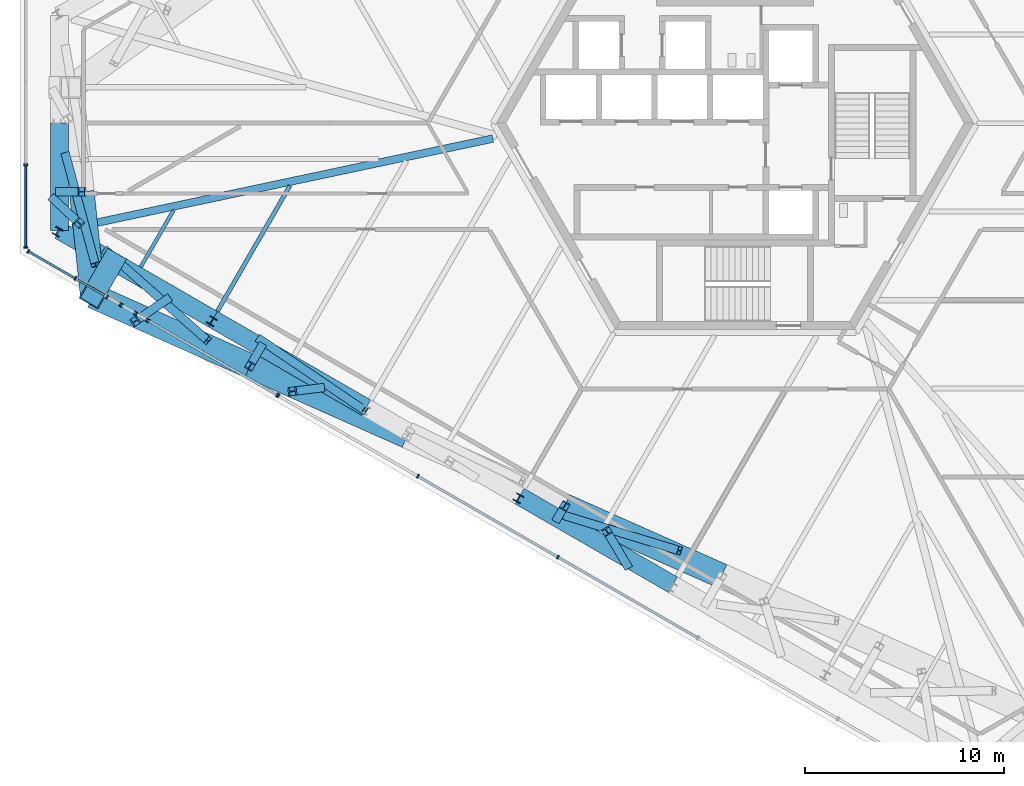
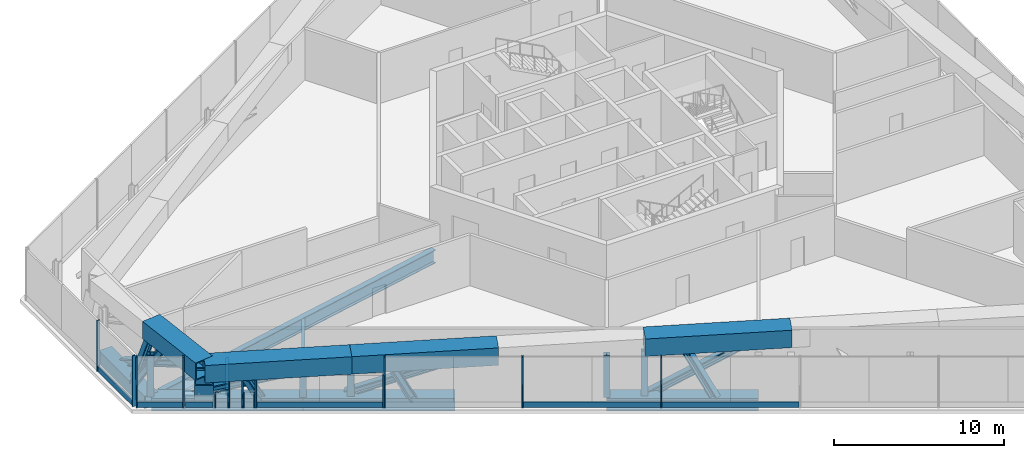
# One storey, part 1 of 23: 44 members, 3 beams, 8 elements without a shape of their own.
"""IFC4 building model written with IfcOpenShell, lengths in metres."""

from ifc_helpers import new_model, si_unit, direction, frame, origin, origin_2d, place, context, subcontext, project, spatial, rectangle, hollow_rectangle, i_section, extrude, source, transform, mapped, material, material_profile, profile_set, type_object, element, aggregate, save


model = new_model("IFC4")

# Units and contexts
model_context = context("Model", 3, precision=1e-05, world=origin(), true_north=direction((0.0, 1.0)))
body_context = subcontext(model_context, "Body", "Model", "MODEL_VIEW")
ifc_project = project(units=[si_unit("LENGTHUNIT", "METRE"), si_unit("AREAUNIT", "SQUARE_METRE"), si_unit("VOLUMEUNIT", "CUBIC_METRE"), si_unit("PLANEANGLEUNIT", "RADIAN"), si_unit("MASSUNIT", "GRAM", prefix="KILO")], contexts=[model_context])

# Site, building, storey
site_placement = place(None, origin())
site = spatial("IfcSite", under=ifc_project, at=site_placement, CompositionType="ELEMENT")
building_placement = place(site_placement, origin())
building = spatial("IfcBuilding", under=site, at=building_placement, Name="Triune Harvest Tower", CompositionType="ELEMENT")
storey_placement = place(building_placement, frame((0.0, 0.0, 54.699951171875)))
storey = spatial("IfcBuildingStorey", under=building, at=storey_placement, Name="L12", CompositionType="ELEMENT", Elevation=54.699951171875)

# Beam
ifc_material_1 = material(Name="Steel ASTM A992 Gr 50", Category="steel")
ifc_material_profile_1 = material_profile(ifc_material_1, i_section(OverallWidth=0.383544921875, OverallDepth=0.9423828125, WebThickness=0.022216796875, FlangeThickness=0.039794921875, at=origin_2d()), Name="W36x232")
ifc_profile_set_1 = profile_set([ifc_material_profile_1], Name="Steel ASTM A992 Gr 50")
beam_type_1 = type_object("IfcBeamType", Name="HG-1 Hip girder W36x232", PredefinedType="BEAM", material=ifc_profile_set_1)
beam_1_placement = place(storey_placement, frame((-33.33056640625, -5.270263671875, -0.72119140625), z_axis=(0.978186166705, 0.207730169372, 0.0), x_axis=(-0.207730169372, 0.978186166705, 0.0)))
element("IfcBeam", 1, at=beam_1_placement, inside=storey, type_object=beam_type_1, Name="beam/L12/HG5", PredefinedType="BEAM", context=body_context, shape_type="SweptSolid", body=[
    extrude(i_section(OverallWidth=0.383544921875, OverallDepth=0.9423828125, WebThickness=0.022216796875, FlangeThickness=0.039794921875, at=origin_2d()), origin(), (0.0, 0.0, 1.0), 21.6181640625),
])

# Members
ifc_material_2 = material(Name="Steel ASTM A992 Gr 50", Category="steel")
ifc_material_profile_2 = material_profile(ifc_material_2, i_section(OverallWidth=0.424072265625, OverallDepth=0.47509765625, WebThickness=0.0478515625, FlangeThickness=0.0771484375, at=origin_2d()), Name="W14x426")
ifc_profile_set_2 = profile_set([ifc_material_profile_2], Name="Steel ASTM A992 Gr 50")
member_type_1 = type_object("IfcMemberType", Name="TD-1 Belt truss diagonal W14x426", PredefinedType="BRACE", material=ifc_profile_set_2)
member_1_placement = place(storey_placement, frame((-34.28857421875, -3.827880859375, -0.324951171875), z_axis=(0.393329852561, -0.367821012751, 0.842614579546), x_axis=(0.683025684105, 0.73039435571, 0.0)))
element("IfcMember", 2, at=member_1_placement, inside=storey, type_object=member_type_1, Name="truss/L12/TD32", PredefinedType="BRACE", context=body_context, shape_type="SweptSolid", body=[
    extrude(i_section(OverallWidth=0.424072265625, OverallDepth=0.47509765625, WebThickness=0.0478515625, FlangeThickness=0.0771484375, at=origin_2d()), origin(), (0.0, 0.0, 1.0), 3.263671875),
])
member_2_placement = place(storey_placement, frame((-31.673583984375, -6.400146484375, -0.324951171875), z_axis=(0.694890268035, -0.615282570883, 0.372229597638), x_axis=(0.662919514722, 0.748690668434, 0.0)))
element("IfcMember", 3, at=member_2_placement, inside=storey, type_object=member_type_1, Name="truss/L12/TD33", PredefinedType="BRACE", context=body_context, shape_type="SweptSolid", body=[
    extrude(i_section(OverallWidth=0.424072265625, OverallDepth=0.47509765625, WebThickness=0.0478515625, FlangeThickness=0.0771484375, at=origin_2d()), origin(), (0.0, 0.0, 1.0), 7.387939453125),
])
member_3_placement = place(storey_placement, frame((-8.524658203125, -19.76513671875, -0.324951171875), z_axis=(0.868992897206, -0.265711931126, 0.417430849679), x_axis=(0.292406063301, 0.956294250816, 0.0)))
element("IfcMember", 4, at=member_3_placement, inside=storey, type_object=member_type_1, Name="truss/L12/TD39", PredefinedType="BRACE", context=body_context, shape_type="SweptSolid", body=[
    extrude(i_section(OverallWidth=0.424072265625, OverallDepth=0.47509765625, WebThickness=0.0478515625, FlangeThickness=0.0771484375, at=origin_2d()), origin(), (0.0, 0.0, 1.0), 6.587890625),
])

# Curtain wall, member
ifc_material_3 = material(Name="Aluminium bronze anodised", Category="aluminium")
curtain_wall_type = type_object("IfcCurtainWallType", Name="CW-5 Plant louvre wall", PredefinedType="NOTDEFINED", material=ifc_material_3)
curtain_wall_1_placement = place(storey_placement, origin())
curtain_wall_1 = element("IfcCurtainWall", 5, at=curtain_wall_1_placement, inside=storey, type_object=curtain_wall_type, Name="CW-5 B1-F5 L12 run 1")
ifc_material_4 = material(Name="Aluminium bronze anodised", Category="aluminium")
ifc_material_profile_3 = material_profile(ifc_material_4, rectangle(XDim=0.10009765625, YDim=0.39990234375, at=origin_2d()), Name="TR-5 transom 100 x 400")
ifc_profile_set_3 = profile_set([ifc_material_profile_3], Name="Aluminium bronze anodised")
member_type_2 = type_object("IfcMemberType", Name="TR-5 transom 100 x 400", PredefinedType="USERDEFINED", material=ifc_profile_set_3)
member_4_placement = place(storey_placement, frame((-35.533203125, -6.4716796875, 0.199951171875), z_axis=(0.866023818221, -0.500002746266, 0.0), x_axis=(0.500002746266, 0.866023818221, 0.0)))
member_4 = element("IfcMember", 6, at=member_4_placement, type_object=member_type_2, Name="CW-5 transom B1-F5 1.1", ObjectType="TRANSOM", PredefinedType="USERDEFINED", context=body_context, shape_type="SweptSolid", body=[
    extrude(rectangle(XDim=0.10009765625, YDim=0.39990234375, at=origin_2d()), origin(), (0.0, 0.0, 1.0), 2.6640625),
])

curtain_wall_2_placement = place(storey_placement, origin())
curtain_wall_2 = element("IfcCurtainWall", 7, at=curtain_wall_2_placement, inside=storey, type_object=curtain_wall_type, Name="CW-5 B1-F5 L12 run 101")
member_5_placement = place(storey_placement, frame((-33.087646484375, -7.8837890625, 0.199951171875), z_axis=(0.866089241828, -0.499889412961, 0.0), x_axis=(0.499889412961, 0.866089241828, 0.0)))
member_5 = element("IfcMember", 8, at=member_5_placement, type_object=member_type_2, Name="CW-5 transom B1-F5 101.1", ObjectType="TRANSOM", PredefinedType="USERDEFINED", context=body_context, shape_type="SweptSolid", body=[
    extrude(rectangle(XDim=0.10009765625, YDim=0.39990234375, at=origin_2d()), origin(), (0.0, 0.0, 1.0), 1.603271484375),
])
aggregate(curtain_wall_2, [member_5])

# Member
ifc_material_5 = material(Name="Steel ASTM A992 Gr 50", Category="steel")
ifc_material_profile_4 = material_profile(ifc_material_5, i_section(OverallWidth=0.411376953125, OverallDepth=0.434326171875, WebThickness=0.035888671875, FlangeThickness=0.057373046875, at=origin_2d()), Name="W14x311")
ifc_profile_set_4 = profile_set([ifc_material_profile_4], Name="Steel ASTM A992 Gr 50")
member_type_3 = type_object("IfcMemberType", Name="TV-1 Belt truss strut W14x311", PredefinedType="STRUT", material=ifc_profile_set_4)
member_6_placement = place(storey_placement, frame((-23.8515625, -11.2626953125, -0.27490234375), z_axis=(-0.189888598995, -0.328833516586, 0.925100447704), x_axis=(0.865983801557, -0.50007205025, 0.0)))
element("IfcMember", 9, at=member_6_placement, inside=storey, type_object=member_type_3, Name="truss/L12/TS18", PredefinedType="STRUT", context=body_context, shape_type="SweptSolid", body=[
    extrude(i_section(OverallWidth=0.411376953125, OverallDepth=0.434326171875, WebThickness=0.035888671875, FlangeThickness=0.057373046875, at=origin_2d()), origin(), (0.0, 0.0, 1.0), 2.91845703125),
])

# Beams
ifc_material_6 = material(Name="Steel ASTM A992 Gr 50", Category="steel")
ifc_material_profile_5 = material_profile(ifc_material_6, i_section(OverallWidth=0.180908203125, OverallDepth=0.41650390625, WebThickness=0.010986328125, FlangeThickness=0.01806640625, at=origin_2d()), Name="W16x57")
ifc_profile_set_5 = profile_set([ifc_material_profile_5], Name="Steel ASTM A992 Gr 50")
beam_type_2 = type_object("IfcBeamType", Name="JT-1 Floor joist W16x57", PredefinedType="JOIST", material=ifc_profile_set_5)
shared_shape_1 = source(origin(), body_context, "Body", "SweptSolid", [
    extrude(i_section(OverallWidth=0.180908203125, OverallDepth=0.41650390625, WebThickness=0.010986328125, FlangeThickness=0.01806640625, at=origin_2d()), origin(), (0.0, 0.0, 1.0), 3.3017578125),
])
beam_2_placement = place(storey_placement, frame((-29.905517578125, -7.247802734375, -0.458251953125), z_axis=(0.500004084281, 0.866023045711, 0.0), x_axis=(-0.866023045711, 0.500004084281, 0.0)))
element("IfcBeam", 10, at=beam_2_placement, inside=storey, type_object=beam_type_2, Name="beam/L12/JT27", PredefinedType="JOIST", context=body_context, shape_type="MappedRepresentation", body=[
    mapped(shared_shape_1, transform((0.0, 0.0, 0.0), scale=1.0)),
])
ifc_material_7 = material(Name="Steel ASTM A992 Gr 50", Category="steel")
ifc_material_profile_6 = material_profile(ifc_material_7, i_section(OverallWidth=0.2099609375, OverallDepth=0.535888671875, WebThickness=0.010986328125, FlangeThickness=0.017333984375, at=origin_2d()), Name="W21x68")
ifc_profile_set_6 = profile_set([ifc_material_profile_6], Name="Steel ASTM A992 Gr 50")
beam_type_3 = type_object("IfcBeamType", Name="JT-2 Floor joist W21x68", PredefinedType="JOIST", material=ifc_profile_set_6)
shared_shape_2 = source(origin(), body_context, "Body", "SweptSolid", [
    extrude(i_section(OverallWidth=0.2099609375, OverallDepth=0.535888671875, WebThickness=0.010986328125, FlangeThickness=0.017333984375, at=origin_2d()), origin(), (0.0, 0.0, 1.0), 7.3115234375),
])
beam_3_placement = place(storey_placement, frame((-26.04736328125, -9.475341796875, -0.51806640625), z_axis=(0.499996078686, 0.866027667744, 0.0), x_axis=(-0.866027667744, 0.499996078686, 0.0)))
element("IfcBeam", 11, at=beam_3_placement, inside=storey, type_object=beam_type_3, Name="beam/L12/JT28", PredefinedType="JOIST", context=body_context, shape_type="MappedRepresentation", body=[
    mapped(shared_shape_2, transform((0.0, 0.0, 0.0), scale=1.0)),
])

# Members
ifc_material_8 = material(Name="Steel ASTM A992 Gr 50", Category="steel")
ifc_material_profile_7 = material_profile(ifc_material_8, i_section(OverallWidth=0.40380859375, OverallDepth=0.406494140625, WebThickness=0.027099609375, FlangeThickness=0.043701171875, at=origin_2d()), Name="W14x233")
ifc_profile_set_7 = profile_set([ifc_material_profile_7], Name="Steel ASTM A992 Gr 50")
member_type_4 = type_object("IfcMemberType", Name="WP-1 Roof edge post W14x233", PredefinedType="POST", material=ifc_profile_set_7)
shared_shape_3 = source(origin(), body_context, "Body", "SweptSolid", [
    extrude(i_section(OverallWidth=0.40380859375, OverallDepth=0.406494140625, WebThickness=0.027099609375, FlangeThickness=0.043701171875, at=origin_2d()), origin(), (0.0, 0.0, 1.0), 2.9755859375),
])
for number, where, z_axis, x_axis, name in (
    (12, (-34.092529296875, -5.469970703125, -0.25), (0.0, 0.0, 1.0), (0.866025403784, -0.5, 0.0), "post/L12/W16"),
    (13, (-26.332275390625, -9.968994140625, -0.25), (0.0, 0.0, 1.0), (0.866025403784, -0.5, 0.0), "post/L12/W17"),
    (14, (-10.899658203125, -18.87890625, -0.25), (0.0, 0.0, 1.0), (0.866025403784, -0.5, 0.0), "post/L12/W19"),
):
    element("IfcMember", number, at=place(storey_placement, frame(where, z_axis=z_axis, x_axis=x_axis)), inside=storey, type_object=member_type_4, Name=name, PredefinedType="POST", context=body_context, shape_type="MappedRepresentation", body=[
        mapped(shared_shape_3, transform((0.0, 0.0, 0.0), scale=1.0)),
    ])
ifc_material_9 = material(Name="Steel ASTM A572 Gr 50", Category="steel")
ifc_material_profile_8 = material_profile(ifc_material_9, hollow_rectangle(XDim=0.89990234375, YDim=0.89990234375, WallThickness=0.050048828125, at=origin_2d()), Name="Box 900x900x50")
ifc_profile_set_8 = profile_set([ifc_material_profile_8], Name="Steel ASTM A572 Gr 50")
member_type_5 = type_object("IfcMemberType", Name="TC-2 Belt truss chord Box 900x900x50", PredefinedType="CHORD", material=ifc_profile_set_8)
shared_shape_4 = source(origin(), body_context, "Body", "SweptSolid", [
    extrude(hollow_rectangle(XDim=0.89990234375, YDim=0.89990234375, WallThickness=0.050048828125, at=origin_2d()), origin(), (0.0, 0.0, 1.0), 8.909912109375),
])
member_7_placement = place(storey_placement, frame((-10.839599609375, -18.77490234375, -0.699951171875), z_axis=(0.866015380681, -0.500017360122, 0.0), x_axis=(0.500017360122, 0.866015380681, 0.0)))
element("IfcMember", 15, at=member_7_placement, inside=storey, type_object=member_type_5, Name="truss/L12/TCB20", PredefinedType="CHORD", context=body_context, shape_type="MappedRepresentation", body=[
    mapped(shared_shape_4, transform((0.0, 0.0, 0.0), scale=1.0)),
])
shared_shape_5 = source(origin(), body_context, "Body", "SweptSolid", [
    extrude(hollow_rectangle(XDim=0.89990234375, YDim=0.89990234375, WallThickness=0.050048828125, at=origin_2d()), origin(), (0.0, 0.0, 1.0), 8.91015625),
])
for number, where, z_axis, x_axis, name in (
    (16, (-33.988525390625, -5.409912109375, -0.699951171875), (0.866022231217, -0.500005495009, 0.0), (0.500005495009, 0.866022231217, 0.0), "truss/L12/TCB17"),
    (17, (-26.272216796875, -9.864990234375, -0.699951171875), (0.866022231217, -0.500005495009, 0.0), (0.500005495009, 0.866022231217, 0.0), "truss/L12/TCB18"),
):
    element("IfcMember", number, at=place(storey_placement, frame(where, z_axis=z_axis, x_axis=x_axis)), inside=storey, type_object=member_type_5, Name=name, PredefinedType="CHORD", context=body_context, shape_type="MappedRepresentation", body=[
        mapped(shared_shape_5, transform((0.0, 0.0, 0.0), scale=1.0)),
    ])
shared_shape_6 = source(origin(), body_context, "Body", "SweptSolid", [
    extrude(hollow_rectangle(XDim=0.89990234375, YDim=0.89990234375, WallThickness=0.050048828125, at=origin_2d()), origin(), (0.0, 0.0, 1.0), 5.409912109375),
])
member_8_placement = place(storey_placement, frame((-33.988525390625, 0.0, -0.699951171875), z_axis=(0.0, -1.0, 0.0), x_axis=(1.0, 0.0, 0.0)))
element("IfcMember", 18, at=member_8_placement, inside=storey, type_object=member_type_5, Name="truss/L12/TCB16", PredefinedType="CHORD", context=body_context, shape_type="MappedRepresentation", body=[
    mapped(shared_shape_6, transform((0.0, 0.0, 0.0), scale=1.0)),
])
ifc_material_10 = material(Name="Steel ASTM A572 Gr 50", Category="steel")
ifc_material_profile_9 = material_profile(ifc_material_10, hollow_rectangle(XDim=1.25, YDim=1.25, WallThickness=0.070068359375, at=origin_2d()), Name="Box 1250x1250x70")
ifc_profile_set_9 = profile_set([ifc_material_profile_9], Name="Steel ASTM A572 Gr 50")
member_type_6 = type_object("IfcMemberType", Name="TC-1 Belt truss chord Box 1250x1250x70", PredefinedType="CHORD", material=ifc_profile_set_9)
shared_shape_7 = source(origin(), body_context, "Body", "SweptSolid", [
    extrude(hollow_rectangle(XDim=1.25, YDim=1.25, WallThickness=0.070068359375, at=origin_2d()), origin(), (0.0, 0.0, 1.0), 8.662109375),
])
for number, where, z_axis, x_axis, name in (
    (19, (-32.319091796875, -8.69921875, 3.01513671875), (0.913547524684, -0.406732000392, 0.0), (0.406732000392, 0.913547524684, 0.0), "truss/L12/TCT17"),
    (20, (-8.5791015625, -19.26904296875, 3.01513671875), (0.913547524684, -0.406732000392, 0.0), (0.406732000392, 0.913547524684, 0.0), "truss/L12/TCT20"),
):
    element("IfcMember", number, at=place(storey_placement, frame(where, z_axis=z_axis, x_axis=x_axis)), inside=storey, type_object=member_type_6, Name=name, PredefinedType="CHORD", context=body_context, shape_type="MappedRepresentation", body=[
        mapped(shared_shape_7, transform((0.0, 0.0, 0.0), scale=1.0)),
    ])
shared_shape_8 = source(origin(), body_context, "Body", "SweptSolid", [
    extrude(hollow_rectangle(XDim=1.25, YDim=1.25, WallThickness=0.070068359375, at=origin_2d()), origin(), (0.0, 0.0, 1.0), 8.662353515625),
])
member_9_placement = place(storey_placement, frame((-24.40576171875, -12.222412109375, 3.01513671875), z_axis=(0.913537051977, -0.406755521986, 0.0), x_axis=(0.406755521986, 0.913537051977, 0.0)))
element("IfcMember", 21, at=member_9_placement, inside=storey, type_object=member_type_6, Name="truss/L12/TCT18", PredefinedType="CHORD", context=body_context, shape_type="MappedRepresentation", body=[
    mapped(shared_shape_8, transform((0.0, 0.0, 0.0), scale=1.0)),
])
shared_shape_9 = source(origin(), body_context, "Body", "SweptSolid", [
    extrude(hollow_rectangle(XDim=1.25, YDim=1.25, WallThickness=0.070068359375, at=origin_2d()), origin(), (0.0, 0.0, 1.0), 5.273193359375),
])
member_10_placement = place(storey_placement, frame((-32.870361328125, -3.454833984375, 3.01513671875), z_axis=(0.104540182409, -0.994520663567, 0.0), x_axis=(0.994520663567, 0.104540182409, 0.0)))
element("IfcMember", 22, at=member_10_placement, inside=storey, type_object=member_type_6, Name="truss/L12/TCT16", PredefinedType="CHORD", context=body_context, shape_type="MappedRepresentation", body=[
    mapped(shared_shape_9, transform((0.0, 0.0, 0.0), scale=1.0)),
])
ifc_material_11 = material(Name="Steel ASTM A572 Gr 50", Category="steel")
ifc_material_profile_10 = material_profile(ifc_material_11, hollow_rectangle(XDim=1.10009765625, YDim=1.10009765625, WallThickness=0.06005859375, at=origin_2d()), Name="Box 1100x1100x60")
ifc_profile_set_10 = profile_set([ifc_material_profile_10], Name="Steel ASTM A572 Gr 50")
member_type_7 = type_object("IfcMemberType", Name="TS-1 Belt truss raked strut Box 1100x1100x60", PredefinedType="STRUT", material=ifc_profile_set_10)
shared_shape_10 = source(origin(), body_context, "Body", "SweptSolid", [
    extrude(hollow_rectangle(XDim=1.10009765625, YDim=1.10009765625, WallThickness=0.06005859375, at=origin_2d()), origin(), (0.0, 0.0, 1.0), 3.368408203125),
])
member_11_placement = place(storey_placement, frame((-31.312255859375, -6.955078125, -0.27490234375), z_axis=(-0.298914679522, -0.517809522431, 0.801575519116), x_axis=(0.866056390234, -0.499946326053, 0.0)))
element("IfcMember", 23, at=member_11_placement, inside=storey, type_object=member_type_7, Name="truss/L12/TS17", PredefinedType="STRUT", context=body_context, shape_type="MappedRepresentation", body=[
    mapped(shared_shape_10, transform((0.0, 0.0, 0.0), scale=1.0)),
])
shared_shape_11 = source(origin(), body_context, "Body", "SweptSolid", [
    extrude(i_section(OverallWidth=0.411376953125, OverallDepth=0.434326171875, WebThickness=0.035888671875, FlangeThickness=0.057373046875, at=origin_2d()), origin(), (0.0, 0.0, 1.0), 2.789794921875),
])
member_12_placement = place(storey_placement, frame((-8.930419921875, -19.87744140625, -0.27490234375), z_axis=(0.12592695258, 0.218075028374, 0.967773570942), x_axis=(-0.865988816558, 0.500063365581, 0.0)))
element("IfcMember", 24, at=member_12_placement, inside=storey, type_object=member_type_3, Name="truss/L12/TS20", PredefinedType="STRUT", context=body_context, shape_type="MappedRepresentation", body=[
    mapped(shared_shape_11, transform((0.0, 0.0, 0.0), scale=1.0)),
])
shared_shape_12 = source(origin(), body_context, "Body", "SweptSolid", [
    extrude(i_section(OverallWidth=0.411376953125, OverallDepth=0.434326171875, WebThickness=0.035888671875, FlangeThickness=0.057373046875, at=origin_2d()), origin(), (0.0, 0.0, 1.0), 2.92236328125),
])
member_13_placement = place(storey_placement, frame((-33.988525390625, -3.454833984375, -0.27490234375), z_axis=(0.382627255823, 0.0, 0.923902799596), x_axis=(0.0, 1.0, 0.0)))
element("IfcMember", 25, at=member_13_placement, inside=storey, type_object=member_type_3, Name="truss/L12/TS16", PredefinedType="STRUT", context=body_context, shape_type="MappedRepresentation", body=[
    mapped(shared_shape_12, transform((0.0, 0.0, 0.0), scale=1.0)),
])
shared_shape_13 = source(origin(), body_context, "Body", "SweptSolid", [
    extrude(i_section(OverallWidth=0.424072265625, OverallDepth=0.47509765625, WebThickness=0.0478515625, FlangeThickness=0.0771484375, at=origin_2d()), origin(), (0.0, 0.0, 1.0), 3.36572265625),
])
member_14_placement = place(storey_placement, frame((-28.58740234375, -8.874755859375, -0.324951171875), z_axis=(-0.474755719628, -0.327142596718, 0.817058583024), x_axis=(0.567409512771, -0.823435756339, 0.0)))
element("IfcMember", 26, at=member_14_placement, inside=storey, type_object=member_type_1, Name="truss/L12/TD34", PredefinedType="BRACE", context=body_context, shape_type="MappedRepresentation", body=[
    mapped(shared_shape_13, transform((0.0, 0.0, 0.0), scale=1.0)),
])
shared_shape_14 = source(origin(), body_context, "Body", "SweptSolid", [
    extrude(i_section(OverallWidth=0.424072265625, OverallDepth=0.47509765625, WebThickness=0.0478515625, FlangeThickness=0.0771484375, at=origin_2d()), origin(), (0.0, 0.0, 1.0), 3.383056640625),
])
member_15_placement = place(storey_placement, frame((-5.438720703125, -22.23974609375, -0.324951171875), z_axis=(-0.297531327292, 0.500744574358, 0.812852988265), x_axis=(-0.859693237453, -0.510810666958, 0.0)))
element("IfcMember", 27, at=member_15_placement, inside=storey, type_object=member_type_1, Name="truss/L12/TD40", PredefinedType="BRACE", context=body_context, shape_type="MappedRepresentation", body=[
    mapped(shared_shape_14, transform((0.0, 0.0, 0.0), scale=1.0)),
])
shared_shape_15 = source(origin(), body_context, "Body", "SweptSolid", [
    extrude(i_section(OverallWidth=0.424072265625, OverallDepth=0.47509765625, WebThickness=0.0478515625, FlangeThickness=0.0771484375, at=origin_2d()), origin(), (0.0, 0.0, 1.0), 7.0029296875),
])
member_16_placement = place(storey_placement, frame((-23.957275390625, -10.855224609375, -0.324951171875), z_axis=(0.761253259058, -0.516031816293, 0.392688986537), x_axis=(0.561104601229, 0.827744904231, 0.0)))
element("IfcMember", 28, at=member_16_placement, inside=storey, type_object=member_type_1, Name="truss/L12/TD35", PredefinedType="BRACE", context=body_context, shape_type="MappedRepresentation", body=[
    mapped(shared_shape_15, transform((0.0, 0.0, 0.0), scale=1.0)),
])
shared_shape_16 = source(origin(), body_context, "Body", "SweptSolid", [
    extrude(i_section(OverallWidth=0.424072265625, OverallDepth=0.47509765625, WebThickness=0.0478515625, FlangeThickness=0.0771484375, at=origin_2d()), origin(), (0.0, 0.0, 1.0), 3.0908203125),
])
member_17_placement = place(storey_placement, frame((-20.87109375, -13.329833984375, -0.324951171875), z_axis=(-0.453226703948, -0.054816893088, 0.889708189835), x_axis=(0.120073013955, -0.992765063507, 0.0)))
element("IfcMember", 29, at=member_17_placement, inside=storey, type_object=member_type_1, Name="truss/L12/TD36", PredefinedType="BRACE", context=body_context, shape_type="MappedRepresentation", body=[
    mapped(shared_shape_16, transform((0.0, 0.0, 0.0), scale=1.0)),
])
shared_shape_17 = source(origin(), body_context, "Body", "SweptSolid", [
    extrude(i_section(OverallWidth=0.424072265625, OverallDepth=0.47509765625, WebThickness=0.0478515625, FlangeThickness=0.0771484375, at=origin_2d()), origin(), (0.0, 0.0, 1.0), 6.36865234375),
])
member_18_placement = place(storey_placement, frame((-33.688720703125, -1.58203125, -0.324951171875), z_axis=(0.236178680606, -0.870499185066, 0.431799490073), x_axis=(0.965109204462, 0.261847710441, 0.0)))
element("IfcMember", 30, at=member_18_placement, inside=storey, type_object=member_type_1, Name="truss/L12/TD31", PredefinedType="BRACE", context=body_context, shape_type="MappedRepresentation", body=[
    mapped(shared_shape_17, transform((0.0, 0.0, 0.0), scale=1.0)),
])

# Curtain wall, members
curtain_wall_3_placement = place(storey_placement, origin())
curtain_wall_3 = element("IfcCurtainWall", 31, at=curtain_wall_3_placement, inside=storey, type_object=curtain_wall_type, Name="CW-5 B1-F4 L12 run 1")
ifc_material_12 = material(Name="Aluminium bronze anodised", Category="aluminium")
ifc_material_profile_11 = material_profile(ifc_material_12, rectangle(XDim=0.199951171875, YDim=0.080078125, at=origin_2d()), Name="MU-5 mullion 80 x 200")
ifc_profile_set_11 = profile_set([ifc_material_profile_11], Name="Aluminium bronze anodised")
member_type_8 = type_object("IfcMemberType", Name="MU-5 mullion 80 x 200", PredefinedType="MULLION", material=ifc_profile_set_11)
shared_shape_18 = source(origin(), body_context, "Body", "SweptSolid", [
    extrude(rectangle(XDim=0.199951171875, YDim=0.080078125, at=origin_2d()), origin(), (0.0, 0.0, 1.0), 3.64013671875),
])
member_19_placement = place(storey_placement, frame((-35.680419921875, -2.098876953125, 0.0), z_axis=(0.0, 0.0, 1.0), x_axis=(1.0, 0.0, 0.0)))
member_19 = element("IfcMember", 32, at=member_19_placement, type_object=member_type_8, Name="CW-5 mullion B1-F4 1.3", PredefinedType="MULLION", context=body_context, shape_type="MappedRepresentation", body=[
    mapped(shared_shape_18, transform((0.0, 0.0, 0.0), scale=1.0)),
])
member_20_placement = place(storey_placement, frame((-35.680419921875, -6.2568359375, 0.0), z_axis=(0.0, 0.0, 1.0), x_axis=(1.0, 0.0, 0.0)))
member_20 = element("IfcMember", 33, at=member_20_placement, type_object=member_type_8, Name="CW-5 mullion B1-F4 1.4", PredefinedType="MULLION", context=body_context, shape_type="MappedRepresentation", body=[
    mapped(shared_shape_18, transform((0.0, 0.0, 0.0), scale=1.0)),
])

# Member
member_21_placement = place(storey_placement, frame((-35.56787109375, -6.451904296875, 0.0), z_axis=(0.0, 0.0, 1.0), x_axis=(0.499993213594, 0.866029321882, 0.0)))
member_21 = element("IfcMember", 34, at=member_21_placement, type_object=member_type_8, Name="CW-5 mullion B1-F5 1.1", PredefinedType="MULLION", context=body_context, shape_type="MappedRepresentation", body=[
    mapped(shared_shape_18, transform((0.0, 0.0, 0.0), scale=1.0)),
])

member_22_placement = place(storey_placement, frame((-33.191650390625, -7.82373046875, 0.0), z_axis=(0.0, 0.0, 1.0), x_axis=(0.499993213594, 0.866029321882, 0.0)))
member_22 = element("IfcMember", 35, at=member_22_placement, type_object=member_type_8, Name="CW-5 mullion B1-F5 1.2", PredefinedType="MULLION", context=body_context, shape_type="MappedRepresentation", body=[
    mapped(shared_shape_18, transform((0.0, 0.0, 0.0), scale=1.0)),
])

aggregate(curtain_wall_1, [member_21, member_22, member_4])

# Curtain wall, members
curtain_wall_4_placement = place(storey_placement, origin())
curtain_wall_4 = element("IfcCurtainWall", 36, at=curtain_wall_4_placement, inside=storey, type_object=curtain_wall_type, Name="CW-5 B1-F5 L12 run 601")
member_23_placement = place(storey_placement, frame((-22.971435546875, -13.724365234375, 0.0), z_axis=(0.0, 0.0, 1.0), x_axis=(0.499999872717, 0.866025477272, 0.0)))
member_23 = element("IfcMember", 37, at=member_23_placement, type_object=member_type_8, Name="CW-5 mullion B1-F5 601.1", PredefinedType="MULLION", context=body_context, shape_type="MappedRepresentation", body=[
    mapped(shared_shape_18, transform((0.0, 0.0, 0.0), scale=1.0)),
])
member_24_placement = place(storey_placement, frame((-15.95849609375, -17.773193359375, 0.0), z_axis=(0.0, 0.0, 1.0), x_axis=(0.499999872717, 0.866025477272, 0.0)))
member_24 = element("IfcMember", 38, at=member_24_placement, type_object=member_type_8, Name="CW-5 mullion B1-F5 601.3", PredefinedType="MULLION", context=body_context, shape_type="MappedRepresentation", body=[
    mapped(shared_shape_18, transform((0.0, 0.0, 0.0), scale=1.0)),
])
member_25_placement = place(storey_placement, frame((-8.9111328125, -21.842041015625, 0.0), z_axis=(0.0, 0.0, 1.0), x_axis=(0.499999872717, 0.866025477272, 0.0)))
member_25 = element("IfcMember", 39, at=member_25_placement, type_object=member_type_8, Name="CW-5 mullion B1-F5 601.5", PredefinedType="MULLION", context=body_context, shape_type="MappedRepresentation", body=[
    mapped(shared_shape_18, transform((0.0, 0.0, 0.0), scale=1.0)),
])

curtain_wall_5_placement = place(storey_placement, origin())
curtain_wall_5 = element("IfcCurtainWall", 40, at=curtain_wall_5_placement, inside=storey, type_object=curtain_wall_type, Name="CW-5 B1-F5 L12 run 301")
shared_shape_19 = source(origin(), body_context, "Body", "SweptSolid", [
    extrude(rectangle(XDim=0.199951171875, YDim=0.080078125, at=origin_2d()), origin(), (0.0, 0.0, 1.0), 2.330078125),
])
member_26_placement = place(storey_placement, frame((-30.859619140625, -9.170166015625, 0.0), z_axis=(0.0, 0.0, 1.0), x_axis=(0.499950033847, 0.866054249834, 0.0)))
member_26 = element("IfcMember", 41, at=member_26_placement, type_object=member_type_8, Name="CW-5 mullion B1-F5 301.1", PredefinedType="MULLION", context=body_context, shape_type="MappedRepresentation", body=[
    mapped(shared_shape_19, transform((0.0, 0.0, 0.0), scale=1.0)),
])
member_27_placement = place(storey_placement, frame((-30.193115234375, -9.554931640625, 0.0), z_axis=(0.0, 0.0, 1.0), x_axis=(0.499950033847, 0.866054249834, 0.0)))
member_27 = element("IfcMember", 42, at=member_27_placement, type_object=member_type_8, Name="CW-5 mullion B1-F5 301.2", PredefinedType="MULLION", context=body_context, shape_type="MappedRepresentation", body=[
    mapped(shared_shape_19, transform((0.0, 0.0, 0.0), scale=1.0)),
])
aggregate(curtain_wall_5, [member_26, member_27])

curtain_wall_6_placement = place(storey_placement, origin())
curtain_wall_6 = element("IfcCurtainWall", 43, at=curtain_wall_6_placement, inside=storey, type_object=curtain_wall_type, Name="CW-5 B1-F5 L12 run 501")
member_28_placement = place(storey_placement, frame((-29.519775390625, -9.943603515625, 0.0), z_axis=(0.0, 0.0, 1.0), x_axis=(0.500003693012, 0.866023271613, 0.0)))
member_28 = element("IfcMember", 44, at=member_28_placement, type_object=member_type_8, Name="CW-5 mullion B1-F5 501.1", PredefinedType="MULLION", context=body_context, shape_type="MappedRepresentation", body=[
    mapped(shared_shape_19, transform((0.0, 0.0, 0.0), scale=1.0)),
])
member_29_placement = place(storey_placement, frame((-23.04052734375, -13.684326171875, 0.0), z_axis=(0.0, 0.0, 1.0), x_axis=(0.500003693012, 0.866023271613, 0.0)))
member_29 = element("IfcMember", 45, at=member_29_placement, type_object=member_type_8, Name="CW-5 mullion B1-F5 501.3", PredefinedType="MULLION", context=body_context, shape_type="MappedRepresentation", body=[
    mapped(shared_shape_19, transform((0.0, 0.0, 0.0), scale=1.0)),
])

curtain_wall_7_placement = place(storey_placement, origin())
curtain_wall_7 = element("IfcCurtainWall", 46, at=curtain_wall_7_placement, inside=storey, type_object=curtain_wall_type, Name="CW-5 B1-F5 L12 run 401")
shared_shape_20 = source(origin(), body_context, "Body", "SweptSolid", [
    extrude(rectangle(XDim=0.199951171875, YDim=0.080078125, at=origin_2d()), origin(), (0.0, 0.0, 1.0), 1.0029296875),
])
member_30_placement = place(storey_placement, frame((-30.123779296875, -9.594970703125, 0.0), z_axis=(0.0, 0.0, 1.0), x_axis=(0.499962338251, 0.866047146714, 0.0)))
member_30 = element("IfcMember", 47, at=member_30_placement, type_object=member_type_8, Name="CW-5 mullion B1-F5 401.1", PredefinedType="MULLION", context=body_context, shape_type="MappedRepresentation", body=[
    mapped(shared_shape_20, transform((0.0, 0.0, 0.0), scale=1.0)),
])
member_31_placement = place(storey_placement, frame((-29.5888671875, -9.90380859375, 0.0), z_axis=(0.0, 0.0, 1.0), x_axis=(0.499962338251, 0.866047146714, 0.0)))
member_31 = element("IfcMember", 48, at=member_31_placement, type_object=member_type_8, Name="CW-5 mullion B1-F5 401.2", PredefinedType="MULLION", context=body_context, shape_type="MappedRepresentation", body=[
    mapped(shared_shape_20, transform((0.0, 0.0, 0.0), scale=1.0)),
])
aggregate(curtain_wall_7, [member_30, member_31])

# Member
shared_shape_21 = source(origin(), body_context, "Body", "SweptSolid", [
    extrude(rectangle(XDim=0.10009765625, YDim=0.39990234375, at=origin_2d()), origin(), (0.0, 0.0, 1.0), 4.077880859375),
])
member_32_placement = place(storey_placement, frame((-35.680419921875, -2.138916015625, 0.199951171875), z_axis=(0.0, -1.0, 0.0), x_axis=(1.0, 0.0, 0.0)))
member_32 = element("IfcMember", 49, at=member_32_placement, type_object=member_type_2, Name="CW-5 transom B1-F4 1.2", ObjectType="TRANSOM", PredefinedType="USERDEFINED", context=body_context, shape_type="MappedRepresentation", body=[
    mapped(shared_shape_21, transform((0.0, 0.0, 0.0), scale=1.0)),
])

aggregate(curtain_wall_3, [member_19, member_20, member_32])

shared_shape_22 = source(origin(), body_context, "Body", "SweptSolid", [
    extrude(rectangle(XDim=0.10009765625, YDim=0.39990234375, at=origin_2d()), origin(), (0.0, 0.0, 1.0), 7.4013671875),
])
member_33_placement = place(storey_placement, frame((-29.485107421875, -9.963623046875, 0.199951171875), z_axis=(0.866030135978, -0.49999180351, 0.0), x_axis=(0.49999180351, 0.866030135978, 0.0)))
member_33 = element("IfcMember", 50, at=member_33_placement, type_object=member_type_2, Name="CW-5 transom B1-F5 501.1", ObjectType="TRANSOM", PredefinedType="USERDEFINED", context=body_context, shape_type="MappedRepresentation", body=[
    mapped(shared_shape_22, transform((0.0, 0.0, 0.0), scale=1.0)),
])

aggregate(curtain_wall_6, [member_28, member_29, member_33])

shared_shape_23 = source(origin(), body_context, "Body", "SweptSolid", [
    extrude(rectangle(XDim=0.10009765625, YDim=0.39990234375, at=origin_2d()), origin(), (0.0, 0.0, 1.0), 8.0576171875),
])
member_34_placement = place(storey_placement, frame((-15.923828125, -17.793212890625, 0.199951171875), z_axis=(0.866023112925, -0.500003967864, 0.0), x_axis=(0.500003967864, 0.866023112925, 0.0)))
member_34 = element("IfcMember", 51, at=member_34_placement, type_object=member_type_2, Name="CW-5 transom B1-F5 601.2", ObjectType="TRANSOM", PredefinedType="USERDEFINED", context=body_context, shape_type="MappedRepresentation", body=[
    mapped(shared_shape_23, transform((0.0, 0.0, 0.0), scale=1.0)),
])

member_35_placement = place(storey_placement, frame((-8.87646484375, -21.862060546875, 0.199951171875), z_axis=(0.866023112925, -0.500003967864, 0.0), x_axis=(0.500003967864, 0.866023112925, 0.0)))
member_35 = element("IfcMember", 52, at=member_35_placement, type_object=member_type_2, Name="CW-5 transom B1-F5 601.3", ObjectType="TRANSOM", PredefinedType="USERDEFINED", context=body_context, shape_type="MappedRepresentation", body=[
    mapped(shared_shape_23, transform((0.0, 0.0, 0.0), scale=1.0)),
])

aggregate(curtain_wall_4, [member_23, member_24, member_25, member_34, member_35])

# Curtain wall, members
curtain_wall_8_placement = place(storey_placement, origin())
curtain_wall_8 = element("IfcCurtainWall", 53, at=curtain_wall_8_placement, inside=storey, type_object=curtain_wall_type, Name="CW-5 B1-F5 L12 run 201")
shared_shape_24 = source(origin(), body_context, "Body", "SweptSolid", [
    extrude(rectangle(XDim=0.199951171875, YDim=0.080078125, at=origin_2d()), origin(), (0.0, 0.0, 1.0), 0.9755859375),
])
member_36_placement = place(storey_placement, frame((-31.59521484375, -8.745361328125, 0.0), z_axis=(0.0, 0.0, 1.0), x_axis=(0.500089298227, 0.86597384129, 0.0)))
member_36 = element("IfcMember", 54, at=member_36_placement, type_object=member_type_8, Name="CW-5 mullion B1-F5 201.1", PredefinedType="MULLION", context=body_context, shape_type="MappedRepresentation", body=[
    mapped(shared_shape_24, transform((0.0, 0.0, 0.0), scale=1.0)),
])
member_37_placement = place(storey_placement, frame((-30.928955078125, -9.130126953125, 0.0), z_axis=(0.0, 0.0, 1.0), x_axis=(0.500089298227, 0.86597384129, 0.0)))
member_37 = element("IfcMember", 55, at=member_37_placement, type_object=member_type_8, Name="CW-5 mullion B1-F5 201.2", PredefinedType="MULLION", context=body_context, shape_type="MappedRepresentation", body=[
    mapped(shared_shape_24, transform((0.0, 0.0, 0.0), scale=1.0)),
])
aggregate(curtain_wall_8, [member_36, member_37])

save(model, "model.ifc")
